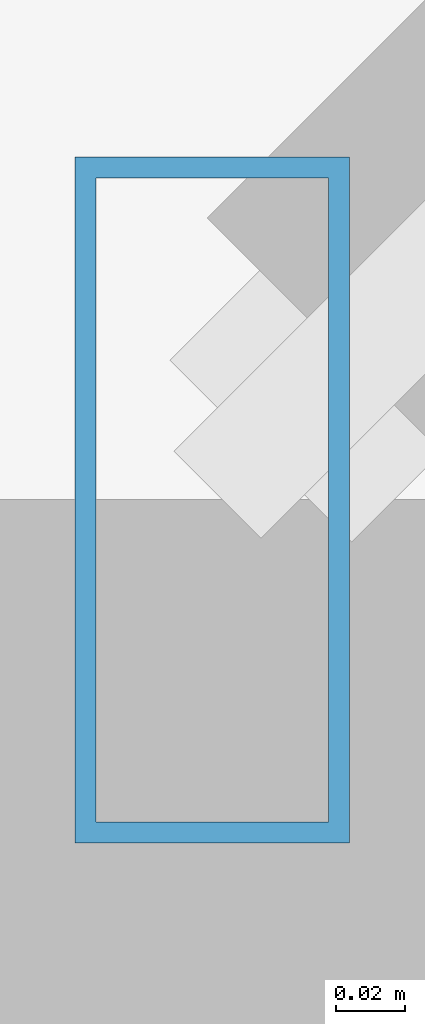
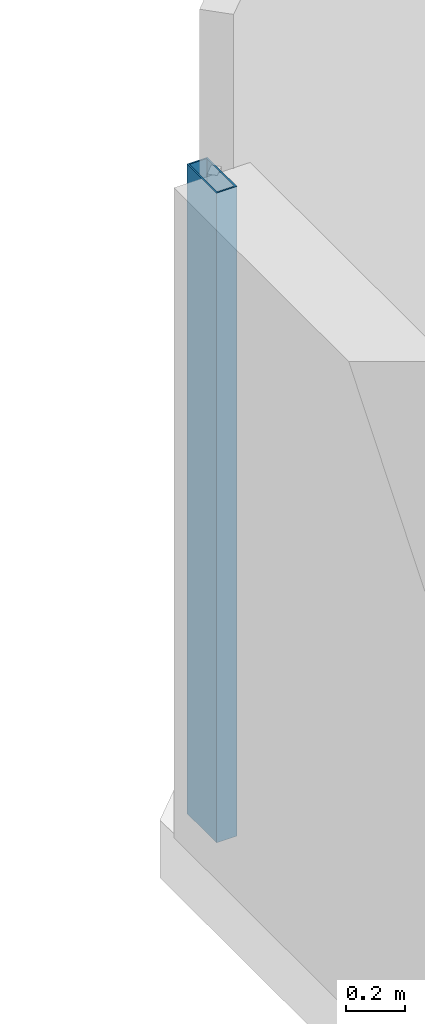
# One storey, part 11 of 32: 1 member, 1 element without a shape of its own.
"""IFC4 building model written with IfcOpenShell, lengths in metres."""

from ifc_helpers import new_model, si_unit, direction, frame, origin, origin_2d, place, context, subcontext, project, spatial, hollow_rectangle, extrude, material, material_profile, profile_set, type_object, element, aggregate, save


model = new_model("IFC4")

# Units and contexts
model_context = context("Model", 3, precision=1e-05, world=origin(), true_north=direction((0.0, 1.0)))
body_context = subcontext(model_context, "Body", "Model", "MODEL_VIEW")
ifc_project = project(units=[si_unit("LENGTHUNIT", "METRE"), si_unit("AREAUNIT", "SQUARE_METRE"), si_unit("VOLUMEUNIT", "CUBIC_METRE"), si_unit("PLANEANGLEUNIT", "RADIAN"), si_unit("MASSUNIT", "GRAM", prefix="KILO")], contexts=[model_context])

# Site, building, storey
site_placement = place(None, origin())
site = spatial("IfcSite", under=ifc_project, at=site_placement, CompositionType="ELEMENT")
building_placement = place(site_placement, origin())
building = spatial("IfcBuilding", under=site, at=building_placement, Name="Thornwick Lancets Civic Towers", CompositionType="ELEMENT")
storey_placement = place(building_placement, frame((0.0, 0.0, 156.300048828125)))
storey = spatial("IfcBuildingStorey", under=building, at=storey_placement, Name="L41", CompositionType="ELEMENT", Elevation=156.300048828125)

# Curtain wall, member
ifc_material_1 = material(Name="Mid-zone chamfered-corner unitised glass curtain wall", Category="glass")
curtain_wall_type = type_object("IfcCurtainWallType", Name="CW_SYS_04", PredefinedType="NOTDEFINED", material=ifc_material_1)
curtain_wall_placement = place(storey_placement, origin())
curtain_wall = element("IfcCurtainWall", 1, at=curtain_wall_placement, inside=storey, type_object=curtain_wall_type, Name="L41 Curtain Wall CW-L41-B-E5", PredefinedType="NOTDEFINED")
ifc_material_2 = material(Name="Thermally broken bronze aluminium S355", Category="steel")
ifc_material_profile = material_profile(ifc_material_2, hollow_rectangle(XDim=0.080078125, YDim=0.199951171875, WallThickness=0.006103515625, at=origin_2d()), Name="RHS 200x80x6")
ifc_profile_set = profile_set([ifc_material_profile], Name="Thermally broken bronze aluminium S355")
member_type = type_object("IfcMemberType", Name="CW_MUL_200", PredefinedType="MULLION", material=ifc_profile_set)
member_placement = place(storey_placement, frame((70.739013671875, 47.07763671875, 0.0), z_axis=(0.0, 0.0, 1.0), x_axis=(1.0, 0.0, 0.0)))
member = element("IfcMember", 2, at=member_placement, type_object=member_type, Name="CW-L41-B-E5 Mullion 1", PredefinedType="MULLION", context=body_context, shape_type="SweptSolid", body=[
    extrude(hollow_rectangle(XDim=0.080078125, YDim=0.199951171875, WallThickness=0.006103515625, at=origin_2d()), origin(), (0.0, 0.0, 1.0), 2.699951171875),
])
aggregate(curtain_wall, [member])

save(model, "model.ifc")
